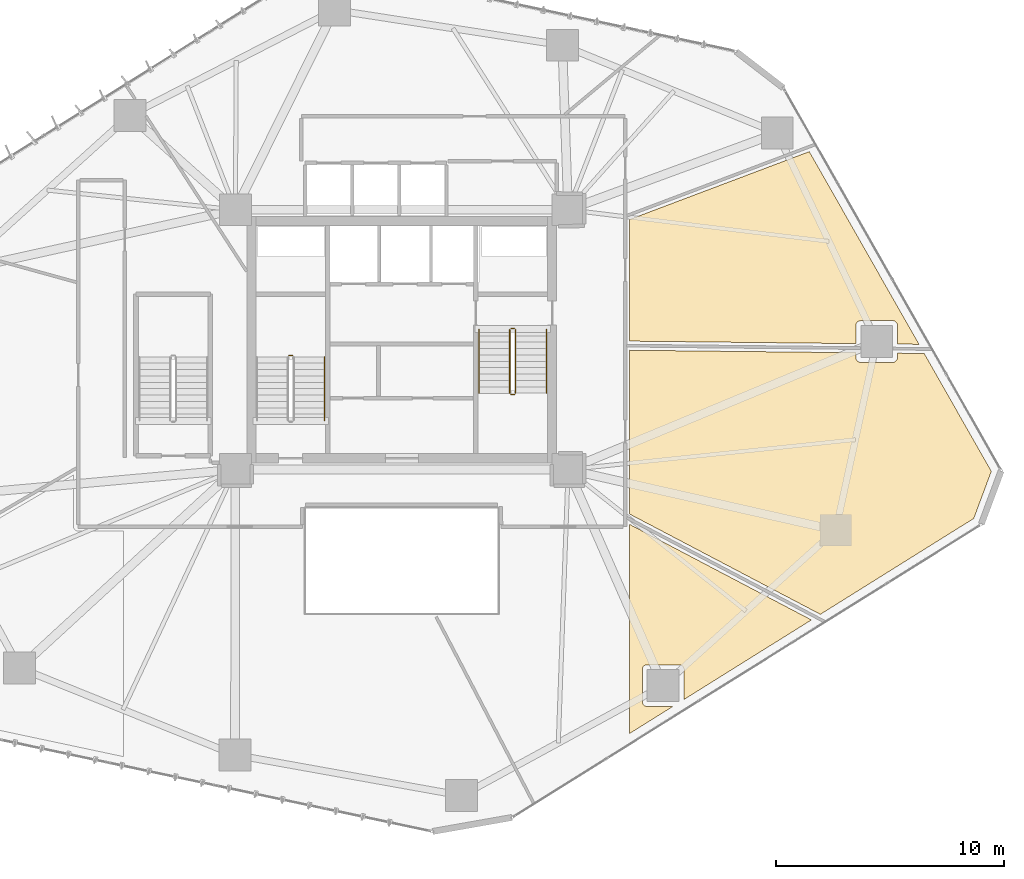
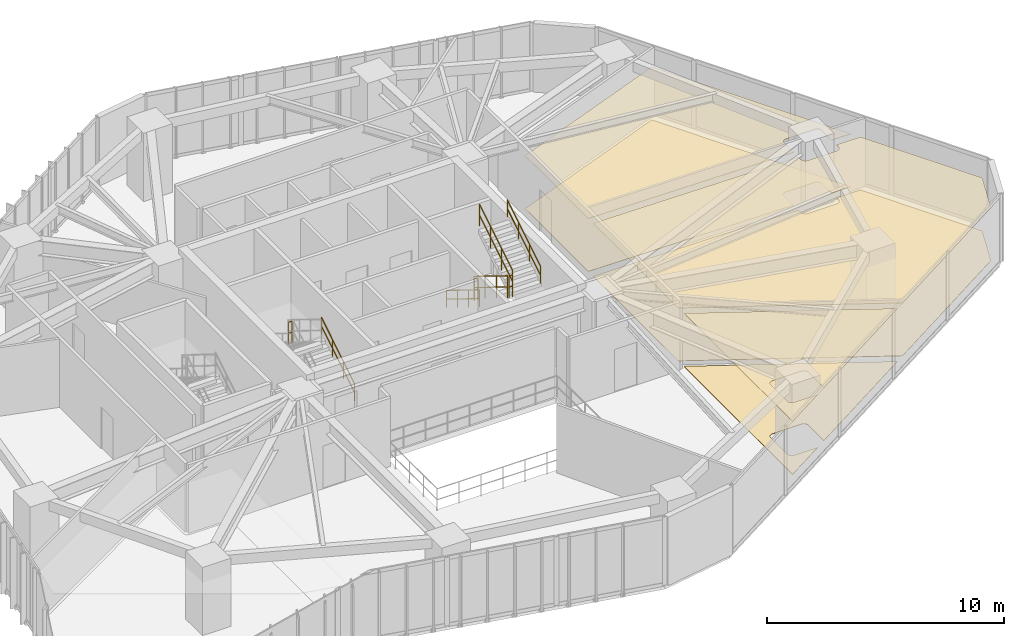
# One storey, part 21 of 22: 8 railings, 6 coverings.
"""IFC4 building model written with IfcOpenShell, lengths in metres."""

from ifc_helpers import new_model, si_unit, direction, frame, origin, origin_2d, place, context, subcontext, project, spatial, polyline, circle, outline, extrude, material, layer, layer_set, type_object, element, save


model = new_model("IFC4")

# Units and contexts
model_context = context("Model", 3, precision=1e-05, world=origin(), true_north=direction((0.0, 1.0)))
body_context = subcontext(model_context, "Body", "Model", "MODEL_VIEW")
ifc_project = project(units=[si_unit("LENGTHUNIT", "METRE"), si_unit("AREAUNIT", "SQUARE_METRE"), si_unit("VOLUMEUNIT", "CUBIC_METRE"), si_unit("PLANEANGLEUNIT", "RADIAN"), si_unit("MASSUNIT", "GRAM", prefix="KILO")], contexts=[model_context])

# Site, building, storey
site_placement = place(None, origin())
site = spatial("IfcSite", under=ifc_project, at=site_placement, CompositionType="ELEMENT")
building_placement = place(site_placement, origin())
building = spatial("IfcBuilding", under=site, at=building_placement, Name="Talar Marvaseh", CompositionType="ELEMENT")
storey_placement = place(building_placement, frame((0.0, 0.0, 54.39990234375)))
storey = spatial("IfcBuildingStorey", under=building, at=storey_placement, Name="L13", CompositionType="ELEMENT", Elevation=54.39990234375)

# Railings
ifc_material_1 = material(Name="Stainless Steel Grade 316", Category="steel")
railing_type_1 = type_object("IfcRailingType", Name="Brushed Stainless Wall Pitch Handrail 900", PredefinedType="HANDRAIL", material=ifc_material_1)
railing_1_placement = place(storey_placement, frame((22.610107421875, 27.64990234375, 0.1728515625)))
element("IfcRailing", 1, at=railing_1_placement, inside=storey, type_object=railing_type_1, Name="L13 ST-1 stair handrail 1", PredefinedType="HANDRAIL", context=body_context, shape_type="SweptSolid", body=[
    extrude(circle(Radius=0.02392578125, at=origin_2d()), frame((0.0, 0.0, 0.8759765625), z_axis=(0.0, 0.851089632645, 0.525020415988), x_axis=(-1.0, 0.0, 0.0)), (0.0, 0.0, 1.0), 3.2900390625),
    extrude(circle(Radius=0.02392578125, at=origin_2d()), frame((0.0, 0.0, 0.42578125), z_axis=(0.0, 0.851089632645, 0.525020415988), x_axis=(-1.0, 0.0, 0.0)), (0.0, 0.0, 1.0), 3.2900390625),
    extrude(circle(Radius=0.02099609375, at=origin_2d()), origin(), (0.0, 0.0, 1.0), 0.851806640625),
    extrude(circle(Radius=0.02099609375, at=origin_2d()), frame((0.0, 0.933349609375, 0.57568359375)), (0.0, 0.0, 1.0), 0.851806640625),
    extrude(circle(Radius=0.02099609375, at=origin_2d()), frame((0.0, 1.86669921875, 1.151611328125)), (0.0, 0.0, 1.0), 0.851806640625),
    extrude(circle(Radius=0.02099609375, at=origin_2d()), frame((0.0, 2.800048828125, 1.727294921875)), (0.0, 0.0, 1.0), 0.851806640625),
])
railing_2_placement = place(storey_placement, frame((29.389892578125, 31.64990234375, 0.1728515625)))
element("IfcRailing", 2, at=railing_2_placement, inside=storey, type_object=railing_type_1, Name="L13 ST-2 stair handrail 1", PredefinedType="HANDRAIL", context=body_context, shape_type="SweptSolid", body=[
    extrude(circle(Radius=0.02392578125, at=origin_2d()), frame((0.0, 0.0, 0.8759765625), z_axis=(0.0, -0.851069175582, 0.525053576669), x_axis=(1.0, 0.0, 0.0)), (0.0, 0.0, 1.0), 3.289794921875),
    extrude(circle(Radius=0.02392578125, at=origin_2d()), frame((0.0, 0.0, 0.42578125), z_axis=(0.0, -0.851069175582, 0.525053576669), x_axis=(1.0, 0.0, 0.0)), (0.0, 0.0, 1.0), 3.289794921875),
    extrude(circle(Radius=0.02099609375, at=origin_2d()), origin(), (0.0, 0.0, 1.0), 0.851806640625),
    extrude(circle(Radius=0.02099609375, at=origin_2d()), frame((0.0, -0.933349609375, 0.57568359375)), (0.0, 0.0, 1.0), 0.851806640625),
    extrude(circle(Radius=0.02099609375, at=origin_2d()), frame((0.0, -1.866455078125, 1.151611328125)), (0.0, 0.0, 1.0), 0.851806640625),
    extrude(circle(Radius=0.02099609375, at=origin_2d()), frame((0.0, -2.7998046875, 1.727294921875)), (0.0, 0.0, 1.0), 0.851806640625),
])
railing_3_placement = place(storey_placement, frame((32.35009765625, 28.85009765625, 2.07275390625)))
element("IfcRailing", 3, at=railing_3_placement, inside=storey, type_object=railing_type_1, Name="L13 ST-2 stair handrail 2", PredefinedType="HANDRAIL", context=body_context, shape_type="SweptSolid", body=[
    extrude(circle(Radius=0.02392578125, at=origin_2d()), frame((0.0, 0.0, 0.8759765625), z_axis=(0.0, 0.851069175582, 0.525053576669), x_axis=(-1.0, 0.0, 0.0)), (0.0, 0.0, 1.0), 3.289794921875),
    extrude(circle(Radius=0.02392578125, at=origin_2d()), frame((0.0, 0.0, 0.42578125), z_axis=(0.0, 0.851069175582, 0.525053576669), x_axis=(-1.0, 0.0, 0.0)), (0.0, 0.0, 1.0), 3.289794921875),
    extrude(circle(Radius=0.02099609375, at=origin_2d()), origin(), (0.0, 0.0, 1.0), 0.851806640625),
    extrude(circle(Radius=0.02099609375, at=origin_2d()), frame((0.0, 0.933349609375, 0.57568359375)), (0.0, 0.0, 1.0), 0.851806640625),
    extrude(circle(Radius=0.02099609375, at=origin_2d()), frame((0.0, 1.866455078125, 1.151611328125)), (0.0, 0.0, 1.0), 0.851806640625),
    extrude(circle(Radius=0.02099609375, at=origin_2d()), frame((0.0, 2.7998046875, 1.727294921875)), (0.0, 0.0, 1.0), 0.851806640625),
])
railing_type_2 = type_object("IfcRailingType", Name="Painted Steel Core Stair Well Guardrail 1150", PredefinedType="GUARDRAIL", material=ifc_material_1)
railing_4_placement = place(storey_placement, frame((21.2099609375, 30.5, 1.900146484375)))
element("IfcRailing", 4, at=railing_4_placement, inside=storey, type_object=railing_type_2, Name="L13 ST-1 stair guard 2", PredefinedType="GUARDRAIL", context=body_context, shape_type="SweptSolid", body=[
    extrude(circle(Radius=0.02392578125, at=origin_2d()), frame((0.0, 0.0, 1.1259765625), z_axis=(-1.0, 0.0, 0.0), x_axis=(0.0, -1.0, 0.0)), (0.0, 0.0, 1.0), 0.159912109375),
    extrude(circle(Radius=0.02392578125, at=origin_2d()), frame((0.0, 0.0, 0.55078125), z_axis=(-1.0, 0.0, 0.0), x_axis=(0.0, -1.0, 0.0)), (0.0, 0.0, 1.0), 0.159912109375),
    extrude(circle(Radius=0.02099609375, at=origin_2d()), origin(), (0.0, 0.0, 1.0), 1.101806640625),
    extrude(circle(Radius=0.02099609375, at=origin_2d()), frame((-0.159912109375, 0.0, 0.0)), (0.0, 0.0, 1.0), 1.101806640625),
])
railing_5_placement = place(storey_placement, frame((30.739990234375, 31.64990234375, 0.1728515625)))
element("IfcRailing", 5, at=railing_5_placement, inside=storey, type_object=railing_type_2, Name="L13 ST-2 stair guard 1", PredefinedType="GUARDRAIL", context=body_context, shape_type="SweptSolid", body=[
    extrude(circle(Radius=0.02392578125, at=origin_2d()), frame((0.0, 0.0, 1.1259765625), z_axis=(0.0, -0.851069175582, 0.525053576669), x_axis=(1.0, 0.0, 0.0)), (0.0, 0.0, 1.0), 3.289794921875),
    extrude(circle(Radius=0.02392578125, at=origin_2d()), frame((0.0, 0.0, 0.55078125), z_axis=(0.0, -0.851069175582, 0.525053576669), x_axis=(1.0, 0.0, 0.0)), (0.0, 0.0, 1.0), 3.289794921875),
    extrude(circle(Radius=0.02099609375, at=origin_2d()), origin(), (0.0, 0.0, 1.0), 1.101806640625),
    extrude(circle(Radius=0.02099609375, at=origin_2d()), frame((0.0, -0.933349609375, 0.57568359375)), (0.0, 0.0, 1.0), 1.101806640625),
    extrude(circle(Radius=0.02099609375, at=origin_2d()), frame((0.0, -1.866455078125, 1.151611328125)), (0.0, 0.0, 1.0), 1.101806640625),
    extrude(circle(Radius=0.02099609375, at=origin_2d()), frame((0.0, -2.7998046875, 1.727294921875)), (0.0, 0.0, 1.0), 1.101806640625),
])
railing_6_placement = place(storey_placement, frame((30.7900390625, 28.800048828125, 1.900146484375)))
element("IfcRailing", 6, at=railing_6_placement, inside=storey, type_object=railing_type_2, Name="L13 ST-2 stair guard 2", PredefinedType="GUARDRAIL", context=body_context, shape_type="SweptSolid", body=[
    extrude(circle(Radius=0.02392578125, at=origin_2d()), frame((0.0, 0.0, 1.1259765625), z_axis=(1.0, 0.0, 0.0), x_axis=(0.0, 1.0, 0.0)), (0.0, 0.0, 1.0), 0.159912109375),
    extrude(circle(Radius=0.02392578125, at=origin_2d()), frame((0.0, 0.0, 0.55078125), z_axis=(1.0, 0.0, 0.0), x_axis=(0.0, 1.0, 0.0)), (0.0, 0.0, 1.0), 0.159912109375),
    extrude(circle(Radius=0.02099609375, at=origin_2d()), origin(), (0.0, 0.0, 1.0), 1.101806640625),
    extrude(circle(Radius=0.02099609375, at=origin_2d()), frame((0.159912109375, 0.0, 0.0)), (0.0, 0.0, 1.0), 1.101806640625),
])
railing_7_placement = place(storey_placement, frame((31.0, 28.85009765625, 2.07275390625)))
element("IfcRailing", 7, at=railing_7_placement, inside=storey, type_object=railing_type_2, Name="L13 ST-2 stair guard 3", PredefinedType="GUARDRAIL", context=body_context, shape_type="SweptSolid", body=[
    extrude(circle(Radius=0.02392578125, at=origin_2d()), frame((0.0, 0.0, 1.1259765625), z_axis=(0.0, 0.851069175582, 0.525053576669), x_axis=(-1.0, 0.0, 0.0)), (0.0, 0.0, 1.0), 3.289794921875),
    extrude(circle(Radius=0.02392578125, at=origin_2d()), frame((0.0, 0.0, 0.55078125), z_axis=(0.0, 0.851069175582, 0.525053576669), x_axis=(-1.0, 0.0, 0.0)), (0.0, 0.0, 1.0), 3.289794921875),
    extrude(circle(Radius=0.02099609375, at=origin_2d()), origin(), (0.0, 0.0, 1.0), 1.101806640625),
    extrude(circle(Radius=0.02099609375, at=origin_2d()), frame((0.0, 0.933349609375, 0.57568359375)), (0.0, 0.0, 1.0), 1.101806640625),
    extrude(circle(Radius=0.02099609375, at=origin_2d()), frame((0.0, 1.866455078125, 1.151611328125)), (0.0, 0.0, 1.0), 1.101806640625),
    extrude(circle(Radius=0.02099609375, at=origin_2d()), frame((0.0, 2.7998046875, 1.727294921875)), (0.0, 0.0, 1.0), 1.101806640625),
])
railing_8_placement = place(storey_placement, frame((30.7900390625, 31.699951171875, 0.0)))
element("IfcRailing", 8, at=railing_8_placement, inside=storey, type_object=railing_type_2, Name="L13 ST-2 stair guard 4", PredefinedType="GUARDRAIL", context=body_context, shape_type="SweptSolid", body=[
    extrude(circle(Radius=0.02392578125, at=origin_2d()), frame((0.0, 0.0, 1.1259765625), z_axis=(1.0, 0.0, 0.0), x_axis=(0.0, 1.0, 0.0)), (0.0, 0.0, 1.0), 0.159912109375),
    extrude(circle(Radius=0.02392578125, at=origin_2d()), frame((0.0, 0.0, 0.55078125), z_axis=(1.0, 0.0, 0.0), x_axis=(0.0, 1.0, 0.0)), (0.0, 0.0, 1.0), 0.159912109375),
    extrude(circle(Radius=0.02099609375, at=origin_2d()), origin(), (0.0, 0.0, 1.0), 1.101806640625),
    extrude(circle(Radius=0.02099609375, at=origin_2d()), frame((0.159912109375, 0.0, 0.0)), (0.0, 0.0, 1.0), 1.101806640625),
])

# Coverings
ifc_material_2 = material(Name="Mineral Fibre Acoustic Ceiling")
ifc_layer_1 = layer(ifc_material_2, 0.02490234375)
ifc_layer_set_1 = layer_set([ifc_layer_1], Name="Mineral Fibre Acoustic Ceiling")
covering_type_1 = type_object("IfcCoveringType", Name="Perforated Mineral Fibre Acoustic Suspended Ceiling", PredefinedType="CEILING", material=ifc_layer_set_1)
covering_1_placement = place(storey_placement, frame((0.0, 0.0, 2.72021484375)))
element("IfcCovering", 9, at=covering_1_placement, inside=storey, type_object=covering_type_1, Name="L13 Gallery Concierge Reception Acoustic Ceiling", PredefinedType="CEILING", context=body_context, shape_type="SweptSolid", body=[
    extrude(outline(polyline([(43.975341796875, 18.903564453125), (38.37890625, 15.40771484375), (38.3828125, 16.721923828125), (38.382080078125, 16.740478515625), (38.379638671875, 16.7587890625), (38.375244140625, 16.777099609375), (38.369384765625, 16.794677734375), (38.36181640625, 16.811767578125), (38.352783203125, 16.827880859375), (38.34228515625, 16.84326171875), (38.330322265625, 16.857666015625), (38.317138671875, 16.87060546875), (38.30224609375, 16.88427734375), (38.2880859375, 16.89599609375), (38.272705078125, 16.906494140625), (38.256591796875, 16.915283203125), (38.23974609375, 16.922607421875), (38.22216796875, 16.928466796875), (38.2041015625, 16.9326171875), (38.185791015625, 16.935302734375), (38.16748046875, 16.93603515625), (36.7568359375, 16.931640625), (36.7373046875, 16.9306640625), (36.7177734375, 16.927490234375), (36.698974609375, 16.9228515625), (36.680419921875, 16.916259765625), (36.66259765625, 16.90771484375), (36.64599609375, 16.897705078125), (36.63037109375, 16.885986328125), (36.61572265625, 16.872802734375), (36.6025390625, 16.8583984375), (36.591064453125, 16.842529296875), (36.580810546875, 16.82568359375), (36.572509765625, 16.80810546875), (36.56591796875, 16.78955078125), (36.561279296875, 16.7705078125), (36.558349609375, 16.751220703125), (36.557373046875, 16.731689453125), (36.557373046875, 15.310302734375), (36.558349609375, 15.290771484375), (36.561279296875, 15.271484375), (36.56591796875, 15.252197265625), (36.572509765625, 15.23388671875), (36.5810546875, 15.216064453125), (36.591064453125, 15.19921875), (36.602783203125, 15.18359375), (36.615966796875, 15.1689453125), (36.630615234375, 15.15576171875), (36.646240234375, 15.14404296875), (36.6630859375, 15.134033203125), (36.680908203125, 15.12548828125), (36.69921875, 15.118896484375), (36.718505859375, 15.1142578125), (36.73779296875, 15.111328125), (36.75732421875, 15.1103515625), (37.90283203125, 15.1103515625), (36.0, 13.921875), (36.0, 23.0), (36.0, 23.09521484375), (43.975341796875, 18.903564453125)])), origin(), (0.0, 0.0, 1.0), 0.02490234375),
])
covering_2_placement = place(storey_placement, frame((0.0, 0.0, 2.72021484375)))
element("IfcCovering", 10, at=covering_2_placement, inside=storey, type_object=covering_type_1, Name="L13 Main Reading Room Acoustic Ceiling", PredefinedType="CEILING", context=body_context, shape_type="SweptSolid", body=[
    extrude(outline(polyline([(36.0, 23.547119140625), (36.0, 30.73681640625), (45.926025390625, 30.62744140625), (45.926025390625, 30.4189453125), (45.927001953125, 30.3994140625), (45.9296875, 30.3798828125), (45.9345703125, 30.36083984375), (45.941162109375, 30.342529296875), (45.94970703125, 30.32470703125), (45.959716796875, 30.307861328125), (45.971435546875, 30.2919921875), (45.984619140625, 30.277587890625), (45.99951171875, 30.2626953125), (46.01416015625, 30.24951171875), (46.02978515625, 30.23779296875), (46.046630859375, 30.2275390625), (46.064453125, 30.21923828125), (46.0830078125, 30.212646484375), (46.10205078125, 30.207763671875), (46.12158203125, 30.205078125), (46.14111328125, 30.2041015625), (47.54541015625, 30.20458984375), (47.564208984375, 30.20556640625), (47.582763671875, 30.2080078125), (47.600830078125, 30.21240234375), (47.61865234375, 30.218505859375), (47.6357421875, 30.22607421875), (47.652099609375, 30.2353515625), (47.667236328125, 30.24609375), (47.681640625, 30.258056640625), (47.694580078125, 30.271484375), (47.70654296875, 30.285888671875), (47.717041015625, 30.30029296875), (47.728759765625, 30.318115234375), (47.73828125, 30.3369140625), (47.74609375, 30.356689453125), (47.75146484375, 30.376953125), (47.7548828125, 30.39794921875), (47.756103515625, 30.4189453125), (47.756103515625, 30.607177734375), (48.92626953125, 30.59423828125), (51.8701171875, 25.423828125), (51.0986328125, 23.353271484375), (44.3681640625, 19.14892578125), (36.0, 23.547119140625)])), origin(), (0.0, 0.0, 1.0), 0.02490234375),
])
covering_3_placement = place(storey_placement, frame((0.0, 0.0, 2.72021484375)))
element("IfcCovering", 11, at=covering_3_placement, inside=storey, type_object=covering_type_1, Name="L13 Visitor Orientation Foyer Acoustic Ceiling", PredefinedType="CEILING", context=body_context, shape_type="SweptSolid", body=[
    extrude(outline(polyline([(47.7548828125, 31.838623046875), (47.752197265625, 31.85791015625), (47.747314453125, 31.877197265625), (47.74072265625, 31.8955078125), (47.732421875, 31.913330078125), (47.722412109375, 31.93017578125), (47.710693359375, 31.94580078125), (47.697509765625, 31.96044921875), (47.682373046875, 31.975341796875), (47.667724609375, 31.988525390625), (47.652099609375, 32.000244140625), (47.63525390625, 32.010498046875), (47.617431640625, 32.018798828125), (47.598876953125, 32.025390625), (47.579833984375, 32.0302734375), (47.560302734375, 32.033203125), (47.54052734375, 32.033935546875), (46.13232421875, 32.031494140625), (46.11279296875, 32.030517578125), (46.093505859375, 32.027587890625), (46.074462890625, 32.022705078125), (46.055908203125, 32.01611328125), (46.038330078125, 32.0078125), (46.021484375, 31.997802734375), (46.005859375, 31.986083984375), (45.9912109375, 31.972900390625), (45.978271484375, 31.95849609375), (45.966552734375, 31.94287109375), (45.956298828125, 31.926025390625), (45.94970703125, 31.91357421875), (45.94140625, 31.895751953125), (45.934814453125, 31.877197265625), (45.929931640625, 31.858154296875), (45.927001953125, 31.838623046875), (45.926025390625, 31.819091796875), (45.926025390625, 31.02734375), (36.0, 31.13671875), (36.0, 36.475341796875), (43.88330078125, 39.452392578125), (48.697021484375, 30.996826171875), (47.756103515625, 31.007080078125), (47.756103515625, 31.819091796875), (47.7548828125, 31.838623046875)])), origin(), (0.0, 0.0, 1.0), 0.02490234375),
])
ifc_material_3 = material(Name="Porcelain Stoneware Tile", Category="masonry")
ifc_layer_2 = layer(ifc_material_3, 0.02001953125)
ifc_layer_set_2 = layer_set([ifc_layer_2], Name="Porcelain Stoneware Tile")
covering_type_2 = type_object("IfcCoveringType", Name="Polished Porcelain Stoneware Gallery Flooring", PredefinedType="FLOORING", material=ifc_layer_set_2)
covering_4_placement = place(storey_placement, origin())
element("IfcCovering", 12, at=covering_4_placement, inside=storey, type_object=covering_type_2, Name="L13 Gallery Concierge Reception Flooring", PredefinedType="FLOORING", context=body_context, shape_type="SweptSolid", body=[
    extrude(outline(polyline([(43.975341796875, 18.903564453125), (38.37890625, 15.40771484375), (38.3828125, 16.721923828125), (38.382080078125, 16.740478515625), (38.379638671875, 16.7587890625), (38.375244140625, 16.777099609375), (38.369384765625, 16.794677734375), (38.36181640625, 16.811767578125), (38.352783203125, 16.827880859375), (38.34228515625, 16.84326171875), (38.330322265625, 16.857666015625), (38.317138671875, 16.87060546875), (38.30224609375, 16.88427734375), (38.2880859375, 16.89599609375), (38.272705078125, 16.906494140625), (38.256591796875, 16.915283203125), (38.23974609375, 16.922607421875), (38.22216796875, 16.928466796875), (38.2041015625, 16.9326171875), (38.185791015625, 16.935302734375), (38.16748046875, 16.93603515625), (36.7568359375, 16.931640625), (36.7373046875, 16.9306640625), (36.7177734375, 16.927490234375), (36.698974609375, 16.9228515625), (36.680419921875, 16.916259765625), (36.66259765625, 16.90771484375), (36.64599609375, 16.897705078125), (36.63037109375, 16.885986328125), (36.61572265625, 16.872802734375), (36.6025390625, 16.8583984375), (36.591064453125, 16.842529296875), (36.580810546875, 16.82568359375), (36.572509765625, 16.80810546875), (36.56591796875, 16.78955078125), (36.561279296875, 16.7705078125), (36.558349609375, 16.751220703125), (36.557373046875, 16.731689453125), (36.557373046875, 15.310302734375), (36.558349609375, 15.290771484375), (36.561279296875, 15.271484375), (36.56591796875, 15.252197265625), (36.572509765625, 15.23388671875), (36.5810546875, 15.216064453125), (36.591064453125, 15.19921875), (36.602783203125, 15.18359375), (36.615966796875, 15.1689453125), (36.630615234375, 15.15576171875), (36.646240234375, 15.14404296875), (36.6630859375, 15.134033203125), (36.680908203125, 15.12548828125), (36.69921875, 15.118896484375), (36.718505859375, 15.1142578125), (36.73779296875, 15.111328125), (36.75732421875, 15.1103515625), (37.90283203125, 15.1103515625), (36.0, 13.921875), (36.0, 23.0), (36.0, 23.09521484375), (43.975341796875, 18.903564453125)])), origin(), (0.0, 0.0, 1.0), 0.02001953125),
])
covering_5_placement = place(storey_placement, origin())
element("IfcCovering", 13, at=covering_5_placement, inside=storey, type_object=covering_type_2, Name="L13 Main Reading Room Flooring", PredefinedType="FLOORING", context=body_context, shape_type="SweptSolid", body=[
    extrude(outline(polyline([(36.0, 23.547119140625), (36.0, 30.73681640625), (45.926025390625, 30.62744140625), (45.926025390625, 30.4189453125), (45.927001953125, 30.3994140625), (45.9296875, 30.3798828125), (45.9345703125, 30.36083984375), (45.941162109375, 30.342529296875), (45.94970703125, 30.32470703125), (45.959716796875, 30.307861328125), (45.971435546875, 30.2919921875), (45.984619140625, 30.277587890625), (45.99951171875, 30.2626953125), (46.01416015625, 30.24951171875), (46.02978515625, 30.23779296875), (46.046630859375, 30.2275390625), (46.064453125, 30.21923828125), (46.0830078125, 30.212646484375), (46.10205078125, 30.207763671875), (46.12158203125, 30.205078125), (46.14111328125, 30.2041015625), (47.54541015625, 30.20458984375), (47.564208984375, 30.20556640625), (47.582763671875, 30.2080078125), (47.600830078125, 30.21240234375), (47.61865234375, 30.218505859375), (47.6357421875, 30.22607421875), (47.652099609375, 30.2353515625), (47.667236328125, 30.24609375), (47.681640625, 30.258056640625), (47.694580078125, 30.271484375), (47.70654296875, 30.285888671875), (47.717041015625, 30.30029296875), (47.728759765625, 30.318115234375), (47.73828125, 30.3369140625), (47.74609375, 30.356689453125), (47.75146484375, 30.376953125), (47.7548828125, 30.39794921875), (47.756103515625, 30.4189453125), (47.756103515625, 30.607177734375), (48.92626953125, 30.59423828125), (51.8701171875, 25.423828125), (51.0986328125, 23.353271484375), (44.3681640625, 19.14892578125), (36.0, 23.547119140625)])), origin(), (0.0, 0.0, 1.0), 0.02001953125),
])
covering_6_placement = place(storey_placement, origin())
element("IfcCovering", 14, at=covering_6_placement, inside=storey, type_object=covering_type_2, Name="L13 Visitor Orientation Foyer Flooring", PredefinedType="FLOORING", context=body_context, shape_type="SweptSolid", body=[
    extrude(outline(polyline([(47.7548828125, 31.838623046875), (47.752197265625, 31.85791015625), (47.747314453125, 31.877197265625), (47.74072265625, 31.8955078125), (47.732421875, 31.913330078125), (47.722412109375, 31.93017578125), (47.710693359375, 31.94580078125), (47.697509765625, 31.96044921875), (47.682373046875, 31.975341796875), (47.667724609375, 31.988525390625), (47.652099609375, 32.000244140625), (47.63525390625, 32.010498046875), (47.617431640625, 32.018798828125), (47.598876953125, 32.025390625), (47.579833984375, 32.0302734375), (47.560302734375, 32.033203125), (47.54052734375, 32.033935546875), (46.13232421875, 32.031494140625), (46.11279296875, 32.030517578125), (46.093505859375, 32.027587890625), (46.074462890625, 32.022705078125), (46.055908203125, 32.01611328125), (46.038330078125, 32.0078125), (46.021484375, 31.997802734375), (46.005859375, 31.986083984375), (45.9912109375, 31.972900390625), (45.978271484375, 31.95849609375), (45.966552734375, 31.94287109375), (45.956298828125, 31.926025390625), (45.94970703125, 31.91357421875), (45.94140625, 31.895751953125), (45.934814453125, 31.877197265625), (45.929931640625, 31.858154296875), (45.927001953125, 31.838623046875), (45.926025390625, 31.819091796875), (45.926025390625, 31.02734375), (36.0, 31.13671875), (36.0, 36.475341796875), (43.88330078125, 39.452392578125), (48.697021484375, 30.996826171875), (47.756103515625, 31.007080078125), (47.756103515625, 31.819091796875), (47.7548828125, 31.838623046875)])), origin(), (0.0, 0.0, 1.0), 0.02001953125),
])

save(model, "model.ifc")
